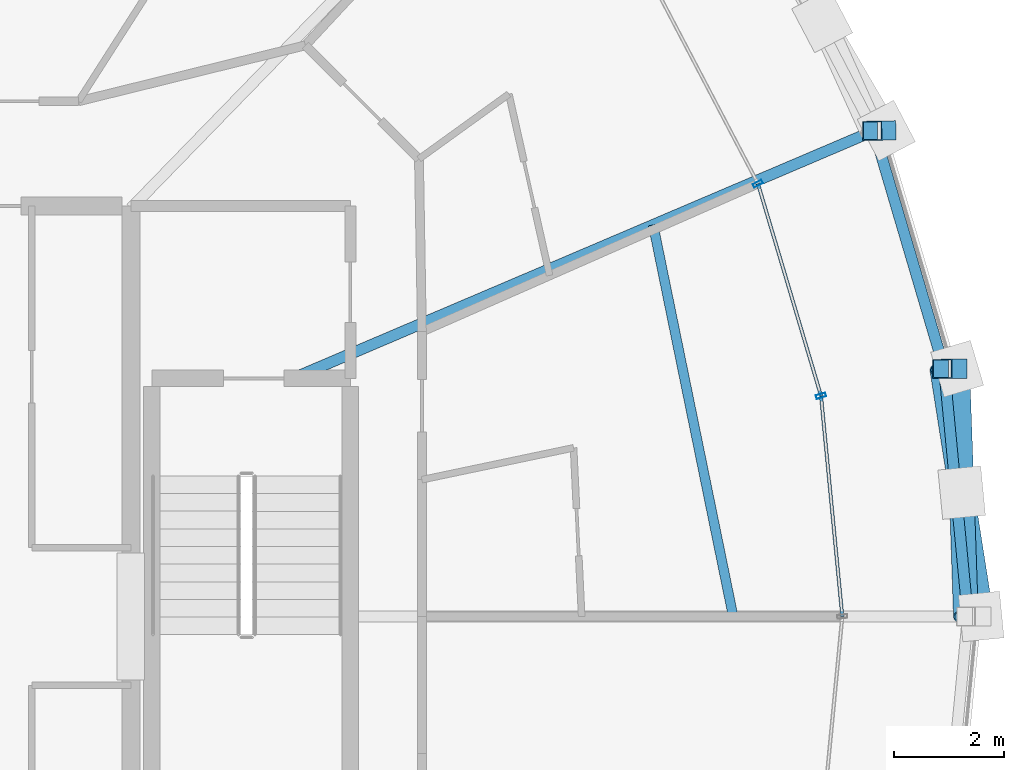
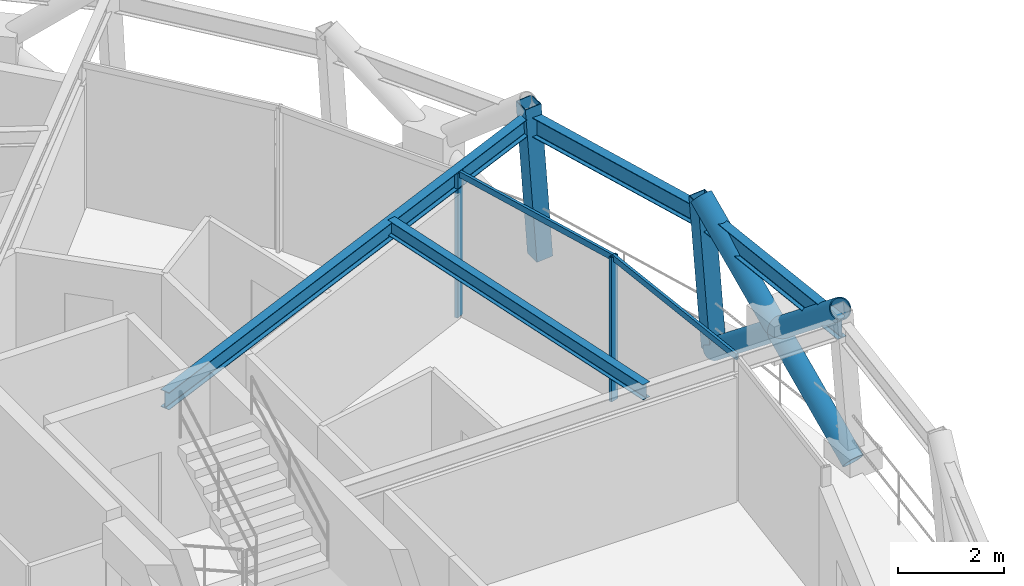
# One storey, part 6 of 15: 9 members, 4 beams, 1 element without a shape of its own.
"""IFC4 building model written with IfcOpenShell, lengths in metres."""

from ifc_helpers import new_model, si_unit, direction, frame, origin, origin_2d, place, context, subcontext, project, spatial, hollow_rectangle, hollow_circle, i_section, extrude, material, layer, layer_set, material_profile, profile_set, type_object, element, aggregate, save


model = new_model("IFC4")

# Units and contexts
model_context = context("Model", 3, precision=1e-05, world=origin(), true_north=direction((0.0, 1.0)))
body_context = subcontext(model_context, "Body", "Model", "MODEL_VIEW")
ifc_project = project(units=[si_unit("LENGTHUNIT", "METRE"), si_unit("AREAUNIT", "SQUARE_METRE"), si_unit("VOLUMEUNIT", "CUBIC_METRE"), si_unit("PLANEANGLEUNIT", "RADIAN"), si_unit("MASSUNIT", "GRAM", prefix="KILO")], contexts=[model_context])

# Site, building, storey
site_placement = place(None, origin())
site = spatial("IfcSite", under=ifc_project, at=site_placement, CompositionType="ELEMENT")
building_placement = place(site_placement, origin())
building = spatial("IfcBuilding", under=site, at=building_placement, Name="Veldorina Hangang Commons", CompositionType="ELEMENT")
storey_placement = place(building_placement, frame((0.0, 0.0, 254.39990234375)))
storey = spatial("IfcBuildingStorey", under=building, at=storey_placement, Name="L66", CompositionType="ELEMENT", Elevation=254.39990234375)

# Beams
ifc_material_1 = material(Name="Steel SM355-TMC", Category="steel")
ifc_material_profile_1 = material_profile(ifc_material_1, i_section(OverallWidth=0.199951171875, OverallDepth=0.39990234375, WebThickness=0.008056640625, FlangeThickness=0.012939453125, FilletRadius=0.012939453125, at=origin_2d()), Name="H-400x200x8x13")
ifc_profile_set_1 = profile_set([ifc_material_profile_1], Name="Steel SM355-TMC")
beam_type_1 = type_object("IfcBeamType", Name="BM-FG400", PredefinedType="BEAM", material=ifc_profile_set_1)
beam_1_placement = place(storey_placement, frame((42.13671875, 28.320068359375, 3.16015625), z_axis=(0.919941646618, 0.392055310917, 0.0), x_axis=(-0.392055310917, 0.919941646618, 0.0)))
element("IfcBeam", 1, at=beam_1_placement, inside=storey, type_object=beam_type_1, Name="L66 radial floor girder 02", PredefinedType="BEAM", context=body_context, shape_type="SweptSolid", body=[
    extrude(i_section(OverallWidth=0.199951171875, OverallDepth=0.39990234375, WebThickness=0.008056640625, FlangeThickness=0.012939453125, FilletRadius=0.012939453125, at=origin_2d()), origin(), (0.0, 0.0, 1.0), 11.465576171875),
])
ifc_material_profile_2 = material_profile(ifc_material_1, i_section(OverallWidth=0.175048828125, OverallDepth=0.35009765625, WebThickness=0.007080078125, FlangeThickness=0.010986328125, FilletRadius=0.012939453125, at=origin_2d()), Name="H-350x175x7x11")
ifc_profile_set_2 = profile_set([ifc_material_profile_2], Name="Steel SM355-TMC")
beam_type_2 = type_object("IfcBeamType", Name="BM-JST350", PredefinedType="JOIST", material=ifc_profile_set_2)
beam_2_placement = place(storey_placement, frame((50.12939453125, 24.0, 3.18505859375), z_axis=(-0.200321347731, 0.979730247386, 0.0), x_axis=(-0.979730247386, -0.200321347731, 0.0)))
element("IfcBeam", 2, at=beam_2_placement, inside=storey, type_object=beam_type_2, Name="L66 secondary floor joist 01", PredefinedType="JOIST", context=body_context, shape_type="SweptSolid", body=[
    extrude(i_section(OverallWidth=0.175048828125, OverallDepth=0.35009765625, WebThickness=0.007080078125, FlangeThickness=0.010986328125, FilletRadius=0.012939453125, at=origin_2d()), origin(), (0.0, 0.0, 1.0), 7.25390625),
])
ifc_material_profile_3 = material_profile(ifc_material_1, i_section(OverallWidth=0.199951171875, OverallDepth=0.449951171875, WebThickness=0.009033203125, FlangeThickness=0.013916015625, FilletRadius=0.01611328125, at=origin_2d()), Name="H-450x200x9x14")
ifc_profile_set_3 = profile_set([ifc_material_profile_3], Name="Steel SM355-TMC")
beam_type_3 = type_object("IfcBeamType", Name="BM-RB450", PredefinedType="BEAM", material=ifc_profile_set_3)
beam_3_placement = place(storey_placement, frame((54.388671875, 24.0, 3.135009765625), z_axis=(-0.095288874083, 0.995449662452, 0.0), x_axis=(-0.995449662452, -0.095288874083, 0.0)))
element("IfcBeam", 3, at=beam_3_placement, inside=storey, type_object=beam_type_3, Name="L66 perimeter hoop ring beam 00", PredefinedType="BEAM", context=body_context, shape_type="SweptSolid", body=[
    extrude(i_section(OverallWidth=0.199951171875, OverallDepth=0.449951171875, WebThickness=0.009033203125, FlangeThickness=0.013916015625, FilletRadius=0.01611328125, at=origin_2d()), origin(), (0.0, 0.0, 1.0), 4.514404296875),
])
beam_4_placement = place(storey_placement, frame((53.95849609375, 28.493896484375, 3.135009765625), z_axis=(-0.282820514427, 0.959172850231, 0.0), x_axis=(-0.959172850231, -0.282820514427, 0.0)))
element("IfcBeam", 4, at=beam_4_placement, inside=storey, type_object=beam_type_3, Name="L66 perimeter hoop ring beam 01", PredefinedType="BEAM", context=body_context, shape_type="SweptSolid", body=[
    extrude(i_section(OverallWidth=0.199951171875, OverallDepth=0.449951171875, WebThickness=0.009033203125, FlangeThickness=0.013916015625, FilletRadius=0.01611328125, at=origin_2d()), origin(), (0.0, 0.0, 1.0), 4.505126953125),
])

# Curtain wall, members
ifc_material_2 = material(Name="Glass Low-E Selective", Category="glass")
ifc_layer = layer(ifc_material_2, 0.179931640625)
ifc_layer_set = layer_set([ifc_layer], Name="Glass Low-E Selective")
curtain_wall_type = type_object("IfcCurtainWallType", Name="CW-SYS-Z3", PredefinedType="NOTDEFINED", material=ifc_layer_set)
curtain_wall_placement = place(storey_placement, origin())
curtain_wall = element("IfcCurtainWall", 5, at=curtain_wall_placement, inside=storey, type_object=curtain_wall_type, Name="L66 unitised curtain wall CW-L66-R2", PredefinedType="NOTDEFINED")
ifc_material_3 = material(Name="Aluminium Anodized AA6063-T6", Category="aluminium")
ifc_material_profile_4 = material_profile(ifc_material_3, hollow_rectangle(XDim=0.070068359375, YDim=0.179931640625, WallThickness=0.00390625, at=origin_2d()), Name="ALU-RHS-180x70x4")
ifc_profile_set_4 = profile_set([ifc_material_profile_4], Name="Aluminium Anodized AA6063-T6")
member_type_1 = type_object("IfcMemberType", Name="CW-MUL-180", PredefinedType="MULLION", material=ifc_profile_set_4)
member_1_placement = place(storey_placement, frame((51.72314453125, 28.00439453125, 0.0), z_axis=(0.0, 0.0, 1.0), x_axis=(-0.284885424803, 0.95856157587, 0.0)))
member_1 = element("IfcMember", 6, at=member_1_placement, type_object=member_type_1, Name="CW-L66-R2 vertical mullion 3", PredefinedType="MULLION", context=body_context, shape_type="SweptSolid", body=[
    extrude(hollow_rectangle(XDim=0.070068359375, YDim=0.179931640625, WallThickness=0.00390625, at=origin_2d()), origin(), (0.0, 0.0, 1.0), 3.320068359375),
])
member_2_placement = place(storey_placement, frame((50.578857421875, 31.854736328125, 0.0), z_axis=(0.0, 0.0, 1.0), x_axis=(-0.463914608979, 0.885879921646, 0.0)))
member_2 = element("IfcMember", 7, at=member_2_placement, type_object=member_type_1, Name="CW-L66-R2 vertical mullion 4", PredefinedType="MULLION", context=body_context, shape_type="SweptSolid", body=[
    extrude(hollow_rectangle(XDim=0.070068359375, YDim=0.179931640625, WallThickness=0.00390625, at=origin_2d()), origin(), (0.0, 0.0, 1.0), 3.320068359375),
])
ifc_material_profile_5 = material_profile(ifc_material_3, hollow_rectangle(XDim=0.06005859375, YDim=0.139892578125, WallThickness=0.00341796875, at=origin_2d()), Name="ALU-RHS-140x60x3.5")
ifc_profile_set_5 = profile_set([ifc_material_profile_5], Name="Aluminium Anodized AA6063-T6")
member_type_2 = type_object("IfcMemberType", Name="CW-TRN-140", PredefinedType="USERDEFINED", material=ifc_profile_set_5)
member_3_placement = place(storey_placement, frame((52.109619140625, 24.0, 3.280029296875), z_axis=(-0.096066244022, 0.995374942803, 0.0), x_axis=(-0.995374942803, -0.096066244022, 0.0)))
member_3 = element("IfcMember", 8, at=member_3_placement, type_object=member_type_2, Name="CW-L66-R2 facet 2 transom 1", ObjectType="TRANSOM", PredefinedType="USERDEFINED", context=body_context, shape_type="SweptSolid", body=[
    extrude(hollow_rectangle(XDim=0.06005859375, YDim=0.139892578125, WallThickness=0.00341796875, at=origin_2d()), origin(), (0.0, 0.0, 1.0), 4.02294921875),
])
member_4_placement = place(storey_placement, frame((51.72314453125, 28.00439453125, 3.280029296875), z_axis=(-0.284876689728, 0.9585641719, 0.0), x_axis=(-0.9585641719, -0.284876689728, 0.0)))
member_4 = element("IfcMember", 9, at=member_4_placement, type_object=member_type_2, Name="CW-L66-R2 facet 3 transom 1", ObjectType="TRANSOM", PredefinedType="USERDEFINED", context=body_context, shape_type="SweptSolid", body=[
    extrude(hollow_rectangle(XDim=0.06005859375, YDim=0.139892578125, WallThickness=0.00341796875, at=origin_2d()), origin(), (0.0, 0.0, 1.0), 4.016845703125),
])
aggregate(curtain_wall, [member_1, member_2, member_3, member_4])

# Members
ifc_material_profile_6 = material_profile(ifc_material_1, hollow_circle(Radius=0.22509765625, WallThickness=0.02197265625, at=origin_2d()), Name="CHS-450x22")
ifc_profile_set_6 = profile_set([ifc_material_profile_6], Name="Steel SM355-TMC")
member_type_3 = type_object("IfcMemberType", Name="DG-CHS450", PredefinedType="BRACE", material=ifc_profile_set_6)
member_5_placement = place(storey_placement, frame((54.629638671875, 24.0, 0.0), z_axis=(-0.121753091183, 0.774624056796, 0.620591456129), x_axis=(-0.987871951214, -0.155270757083, 0.0)))
element("IfcMember", 10, at=member_5_placement, inside=storey, type_object=member_type_3, Name="L66 continuous perimeter diagrid brace 00", PredefinedType="BRACE", context=body_context, shape_type="SweptSolid", body=[
    extrude(hollow_circle(Radius=0.22509765625, WallThickness=0.02197265625, at=origin_2d()), origin(), (0.0, 0.0, 1.0), 5.801025390625),
])
member_6_placement = place(storey_placement, frame((54.19482421875, 28.49609375, 0.0), z_axis=(0.028294821301, -0.780225461632, 0.624858089576), x_axis=(0.999343075339, 0.036241106098, 0.0)))
element("IfcMember", 11, at=member_6_placement, inside=storey, type_object=member_type_3, Name="L66 split perimeter diagrid lower brace 01", PredefinedType="BRACE", context=body_context, shape_type="SweptSolid", body=[
    extrude(hollow_circle(Radius=0.22509765625, WallThickness=0.02197265625, at=origin_2d()), origin(), (0.0, 0.0, 1.0), 2.8818359375),
])
member_7_placement = place(storey_placement, frame((54.2763671875, 26.24755859375, 1.80078125), z_axis=(0.026532541346, -0.780378835883, 0.62474386492), x_axis=(0.999422515391, 0.033979931275, 0.0)))
element("IfcMember", 12, at=member_7_placement, inside=storey, type_object=member_type_3, Name="L66 split perimeter diagrid upper brace 01", PredefinedType="BRACE", context=body_context, shape_type="SweptSolid", body=[
    extrude(hollow_circle(Radius=0.22509765625, WallThickness=0.02197265625, at=origin_2d()), origin(), (0.0, 0.0, 1.0), 2.880126953125),
])
ifc_material_profile_7 = material_profile(ifc_material_1, hollow_rectangle(XDim=0.35009765625, YDim=0.35009765625, WallThickness=0.01611328125, at=origin_2d()), Name="SHS-350x350x16")
ifc_profile_set_7 = profile_set([ifc_material_profile_7], Name="Steel SM355-TMC")
member_type_4 = type_object("IfcMemberType", Name="STR-SHS350", PredefinedType="STRUT", material=ifc_profile_set_7)
member_8_placement = place(storey_placement, frame((54.19482421875, 28.49609375, 0.0), z_axis=(-0.075196755534, -0.000676229816, 0.997168486601), x_axis=(0.008992442151, -0.999959567175, 0.0)))
element("IfcMember", 13, at=member_8_placement, inside=storey, type_object=member_type_4, Name="L66 perimeter ring node post 01", PredefinedType="STRUT", context=body_context, shape_type="SweptSolid", body=[
    extrude(hollow_rectangle(XDim=0.35009765625, YDim=0.35009765625, WallThickness=0.01611328125, at=origin_2d()), origin(), (0.0, 0.0, 1.0), 3.6103515625),
])
member_9_placement = place(storey_placement, frame((52.906982421875, 32.819091796875, 0.0), z_axis=(-0.070823948145, -0.001285248343, 0.997488003189), x_axis=(0.018144099583, -0.999835382276, 0.0)))
element("IfcMember", 14, at=member_9_placement, inside=storey, type_object=member_type_4, Name="L66 perimeter ring node post 02", PredefinedType="STRUT", context=body_context, shape_type="SweptSolid", body=[
    extrude(hollow_rectangle(XDim=0.35009765625, YDim=0.35009765625, WallThickness=0.01611328125, at=origin_2d()), origin(), (0.0, 0.0, 1.0), 3.609130859375),
])

save(model, "model.ifc")
